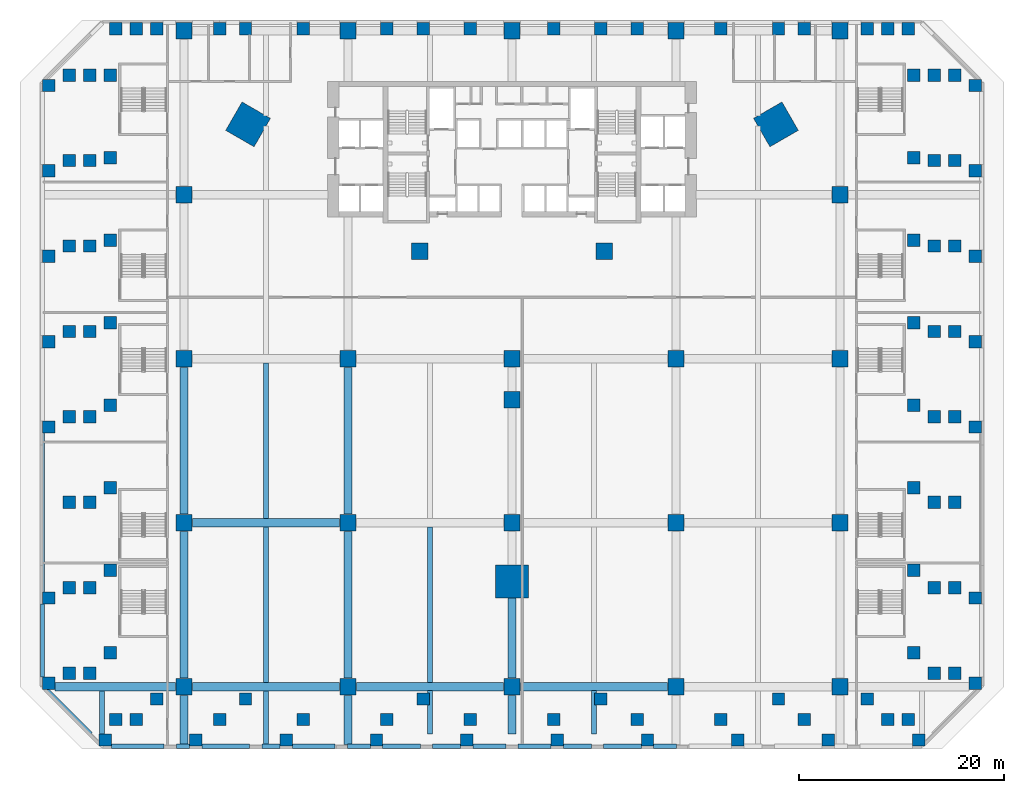
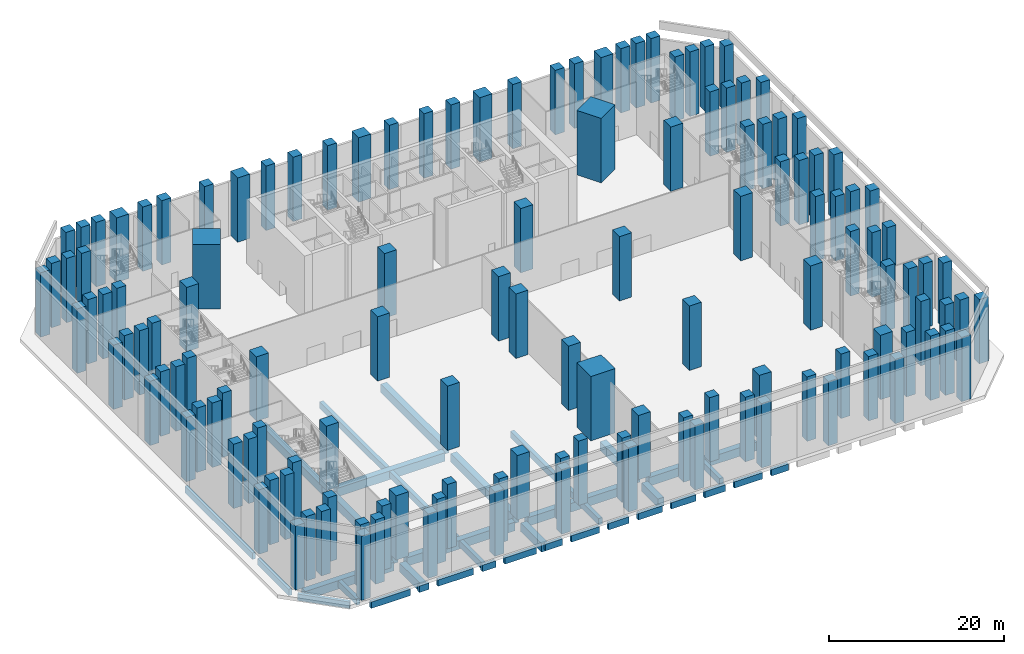
# One storey, part 1 of 25: 136 columns, 36 beams.
"""IFC4 building model written with IfcOpenShell, lengths in metres."""

from ifc_helpers import new_model, si_unit, direction, frame, origin, origin_2d, place, context, subcontext, project, spatial, rectangle, extrude, material, material_profile, profile_set, type_object, element, save


model = new_model("IFC4")

# Units and contexts
model_context = context("Model", 3, precision=1e-05, world=origin(), true_north=direction((0.0, 1.0)))
body_context = subcontext(model_context, "Body", "Model", "MODEL_VIEW")
ifc_project = project(units=[si_unit("LENGTHUNIT", "METRE"), si_unit("AREAUNIT", "SQUARE_METRE"), si_unit("VOLUMEUNIT", "CUBIC_METRE"), si_unit("PLANEANGLEUNIT", "RADIAN"), si_unit("MASSUNIT", "GRAM", prefix="KILO")], contexts=[model_context])

# Site, building, storey
site_placement = place(None, origin())
site = spatial("IfcSite", under=ifc_project, at=site_placement, CompositionType="ELEMENT")
building_placement = place(site_placement, origin())
building = spatial("IfcBuilding", under=site, at=building_placement, Name="Calabash Gate Tower", CompositionType="ELEMENT")
storey_placement = place(building_placement, frame((0.0, 0.0, 20.0)))
storey = spatial("IfcBuildingStorey", under=building, at=storey_placement, Name="L02", CompositionType="ELEMENT", Elevation=20.0)

# Columns
ifc_material_1 = material(Name="Concrete C80/95", Category="concrete")
ifc_material_profile_1 = material_profile(ifc_material_1, rectangle(XDim=1.60009765625, YDim=1.60009765625, at=origin_2d()))
ifc_profile_set_1 = profile_set([ifc_material_profile_1], Name="Concrete C80/95")
column_type_1 = type_object("IfcColumnType", Name="Interior column RC 1600x1600 Concrete C80/95", PredefinedType="COLUMN", material=ifc_profile_set_1)
for number, where, z_axis, x_axis, name in (
    (1, (-9.0, 2.5, 0.0), (0.0, 0.0, 1.0), (1.0, 0.0, 0.0), "Interior column L02 I0"),
    (2, (9.0, 2.5, 0.0), (0.0, 0.0, 1.0), (1.0, 0.0, 0.0), "Interior column L02 I1"),
    (3, (0.0, -12.0, 0.0), (0.0, 0.0, 1.0), (1.0, 0.0, 0.0), "Interior column L02 I2"),
):
    element("IfcColumn", number, at=place(storey_placement, frame(where, z_axis=z_axis, x_axis=x_axis)), inside=storey, type_object=column_type_1, Name=name, PredefinedType="COLUMN", context=body_context, shape_type="SweptSolid", body=[
        extrude(rectangle(XDim=1.60009765625, YDim=1.60009765625, at=origin_2d()), origin(), (0.0, 0.0, 1.0), 9.0),
    ])
ifc_material_2 = material(Name="Concrete C80/95", Category="concrete")
ifc_material_profile_2 = material_profile(ifc_material_2, rectangle(XDim=3.199951171875, YDim=3.199951171875, at=origin_2d()))
ifc_profile_set_2 = profile_set([ifc_material_profile_2], Name="Concrete C80/95")
column_type_2 = type_object("IfcColumnType", Name="Mega column RC 3200x3200 Concrete C80/95", PredefinedType="COLUMN", material=ifc_profile_set_2)
for number, where, z_axis, x_axis, name in (
    (4, (-25.75, 14.866943359375, 0.0), (0.0, 0.0, 1.0), (0.866025386331, -0.50000003023, 0.0), "Mega column L02 NW"),
    (5, (25.75, 14.866943359375, 0.0), (0.0, 0.0, 1.0), (-0.866025386331, -0.50000003023, 0.0), "Mega column L02 NE"),
    (6, (0.0, -29.73291015625, 0.0), (0.0, 0.0, 1.0), (0.0, 1.0, 0.0), "Mega column L02 S"),
):
    element("IfcColumn", number, at=place(storey_placement, frame(where, z_axis=z_axis, x_axis=x_axis)), inside=storey, type_object=column_type_2, Name=name, PredefinedType="COLUMN", context=body_context, shape_type="SweptSolid", body=[
        extrude(rectangle(XDim=3.199951171875, YDim=3.199951171875, at=origin_2d()), origin(), (0.0, 0.0, 1.0), 9.0),
    ])
ifc_material_3 = material(Name="Concrete C80/95", Category="concrete")
ifc_material_profile_3 = material_profile(ifc_material_3, rectangle(XDim=1.60009765625, YDim=1.60009765625, at=origin_2d()))
ifc_profile_set_3 = profile_set([ifc_material_profile_3], Name="Concrete C80/95")
column_type_3 = type_object("IfcColumnType", Name="Podium column RC 1600x1600 Concrete C80/95", PredefinedType="COLUMN", material=ifc_profile_set_3)
for number, where, z_axis, x_axis, name in (
    (7, (-32.0, -40.0, 0.0), (0.0, 0.0, 1.0), (1.0, 0.0, 0.0), "Podium column L02 G2A"),
    (8, (-32.0, -24.0, 0.0), (0.0, 0.0, 1.0), (1.0, 0.0, 0.0), "Podium column L02 G2B"),
    (9, (-32.0, -8.0, 0.0), (0.0, 0.0, 1.0), (1.0, 0.0, 0.0), "Podium column L02 G2C"),
    (10, (-32.0, 8.0, 0.0), (0.0, 0.0, 1.0), (1.0, 0.0, 0.0), "Podium column L02 G2D"),
    (11, (-32.0, 24.0, 0.0), (0.0, 0.0, 1.0), (1.0, 0.0, 0.0), "Podium column L02 G2E"),
    (12, (-16.0, -40.0, 0.0), (0.0, 0.0, 1.0), (1.0, 0.0, 0.0), "Podium column L02 G3A"),
    (13, (-16.0, -24.0, 0.0), (0.0, 0.0, 1.0), (1.0, 0.0, 0.0), "Podium column L02 G3B"),
    (14, (-16.0, -8.0, 0.0), (0.0, 0.0, 1.0), (1.0, 0.0, 0.0), "Podium column L02 G3C"),
    (15, (-16.0, 24.0, 0.0), (0.0, 0.0, 1.0), (1.0, 0.0, 0.0), "Podium column L02 G3E"),
    (16, (0.0, -40.0, 0.0), (0.0, 0.0, 1.0), (1.0, 0.0, 0.0), "Podium column L02 G4A"),
    (17, (0.0, -24.0, 0.0), (0.0, 0.0, 1.0), (1.0, 0.0, 0.0), "Podium column L02 G4B"),
    (18, (0.0, -8.0, 0.0), (0.0, 0.0, 1.0), (1.0, 0.0, 0.0), "Podium column L02 G4C"),
    (19, (0.0, 24.0, 0.0), (0.0, 0.0, 1.0), (1.0, 0.0, 0.0), "Podium column L02 G4E"),
    (20, (16.0, -40.0, 0.0), (0.0, 0.0, 1.0), (1.0, 0.0, 0.0), "Podium column L02 G5A"),
    (21, (16.0, -24.0, 0.0), (0.0, 0.0, 1.0), (1.0, 0.0, 0.0), "Podium column L02 G5B"),
    (22, (16.0, -8.0, 0.0), (0.0, 0.0, 1.0), (1.0, 0.0, 0.0), "Podium column L02 G5C"),
    (23, (16.0, 24.0, 0.0), (0.0, 0.0, 1.0), (1.0, 0.0, 0.0), "Podium column L02 G5E"),
    (24, (32.0, -40.0, 0.0), (0.0, 0.0, 1.0), (1.0, 0.0, 0.0), "Podium column L02 G6A"),
    (25, (32.0, -24.0, 0.0), (0.0, 0.0, 1.0), (1.0, 0.0, 0.0), "Podium column L02 G6B"),
    (26, (32.0, -8.0, 0.0), (0.0, 0.0, 1.0), (1.0, 0.0, 0.0), "Podium column L02 G6C"),
    (27, (32.0, 8.0, 0.0), (0.0, 0.0, 1.0), (1.0, 0.0, 0.0), "Podium column L02 G6D"),
    (28, (32.0, 24.0, 0.0), (0.0, 0.0, 1.0), (1.0, 0.0, 0.0), "Podium column L02 G6E"),
):
    element("IfcColumn", number, at=place(storey_placement, frame(where, z_axis=z_axis, x_axis=x_axis)), inside=storey, type_object=column_type_3, Name=name, PredefinedType="COLUMN", context=body_context, shape_type="SweptSolid", body=[
        extrude(rectangle(XDim=1.60009765625, YDim=1.60009765625, at=origin_2d()), origin(), (0.0, 0.0, 1.0), 9.0),
    ])
ifc_material_4 = material(Name="Concrete C80/95", Category="concrete")
ifc_material_profile_4 = material_profile(ifc_material_4, rectangle(XDim=1.199951171875, YDim=1.199951171875, at=origin_2d()))
ifc_profile_set_4 = profile_set([ifc_material_profile_4], Name="Concrete C80/95")
column_type_4 = type_object("IfcColumnType", Name="Podium edge column RC 1200x1200 Concrete C80/95", PredefinedType="COLUMN", material=ifc_profile_set_4)
for number, where, z_axis, x_axis, name in (
    (29, (-34.6689453125, -41.199951171875, 0.0), (0.0, 0.0, 1.0), (1.0, 0.0, 0.0), "Podium edge column L02 E01"),
    (30, (-39.199951171875, -36.6689453125, 0.0), (0.0, 0.0, 1.0), (1.0, 0.0, 0.0), "Podium edge column L02 E02"),
    (31, (-39.199951171875, 19.6689453125, 0.0), (0.0, 0.0, 1.0), (1.0, 0.0, 0.0), "Podium edge column L02 E03"),
    (32, (-34.6689453125, 24.199951171875, 0.0), (0.0, 0.0, 1.0), (1.0, 0.0, 0.0), "Podium edge column L02 E04"),
    (33, (34.6689453125, 24.199951171875, 0.0), (0.0, 0.0, 1.0), (1.0, 0.0, 0.0), "Podium edge column L02 E05"),
    (34, (39.199951171875, 19.6689453125, 0.0), (0.0, 0.0, 1.0), (1.0, 0.0, 0.0), "Podium edge column L02 E06"),
    (35, (39.199951171875, -36.6689453125, 0.0), (0.0, 0.0, 1.0), (1.0, 0.0, 0.0), "Podium edge column L02 E07"),
    (36, (34.6689453125, -41.199951171875, 0.0), (0.0, 0.0, 1.0), (1.0, 0.0, 0.0), "Podium edge column L02 E08"),
    (37, (-39.199951171875, -28.6201171875, 0.0), (0.0, 0.0, 1.0), (1.0, 0.0, 0.0), "Podium edge column L02 E09"),
    (38, (-39.199951171875, -20.572021484375, 0.0), (0.0, 0.0, 1.0), (1.0, 0.0, 0.0), "Podium edge column L02 E10"),
    (39, (-39.199951171875, -12.52392578125, 0.0), (0.0, 0.0, 1.0), (1.0, 0.0, 0.0), "Podium edge column L02 E11"),
    (40, (-39.199951171875, -4.47607421875, 0.0), (0.0, 0.0, 1.0), (1.0, 0.0, 0.0), "Podium edge column L02 E12"),
    (41, (-39.199951171875, 3.572021484375, 0.0), (0.0, 0.0, 1.0), (1.0, 0.0, 0.0), "Podium edge column L02 E13"),
    (42, (-39.199951171875, 11.6201171875, 0.0), (0.0, 0.0, 1.0), (1.0, 0.0, 0.0), "Podium edge column L02 E14"),
    (43, (-26.001953125, 24.199951171875, 0.0), (0.0, 0.0, 1.0), (1.0, 0.0, 0.0), "Podium edge column L02 E15"),
    (44, (-8.6669921875, 24.199951171875, 0.0), (0.0, 0.0, 1.0), (1.0, 0.0, 0.0), "Podium edge column L02 E16"),
    (45, (8.6669921875, 24.199951171875, 0.0), (0.0, 0.0, 1.0), (1.0, 0.0, 0.0), "Podium edge column L02 E17"),
    (46, (26.001953125, 24.199951171875, 0.0), (0.0, 0.0, 1.0), (1.0, 0.0, 0.0), "Podium edge column L02 E18"),
    (47, (39.199951171875, 11.6201171875, 0.0), (0.0, 0.0, 1.0), (1.0, 0.0, 0.0), "Podium edge column L02 E19"),
    (48, (39.199951171875, 3.572021484375, 0.0), (0.0, 0.0, 1.0), (1.0, 0.0, 0.0), "Podium edge column L02 E20"),
    (49, (39.199951171875, -4.47607421875, 0.0), (0.0, 0.0, 1.0), (1.0, 0.0, 0.0), "Podium edge column L02 E21"),
    (50, (39.199951171875, -12.52392578125, 0.0), (0.0, 0.0, 1.0), (1.0, 0.0, 0.0), "Podium edge column L02 E22"),
    (51, (39.199951171875, -20.572021484375, 0.0), (0.0, 0.0, 1.0), (1.0, 0.0, 0.0), "Podium edge column L02 E23"),
    (52, (39.199951171875, -28.6201171875, 0.0), (0.0, 0.0, 1.0), (1.0, 0.0, 0.0), "Podium edge column L02 E24"),
    (53, (26.001953125, -41.199951171875, 0.0), (0.0, 0.0, 1.0), (1.0, 0.0, 0.0), "Podium edge column L02 E25"),
    (54, (8.6669921875, -41.199951171875, 0.0), (0.0, 0.0, 1.0), (1.0, 0.0, 0.0), "Podium edge column L02 E26"),
    (55, (-8.6669921875, -41.199951171875, 0.0), (0.0, 0.0, 1.0), (1.0, 0.0, 0.0), "Podium edge column L02 E27"),
    (56, (-26.001953125, -41.199951171875, 0.0), (0.0, 0.0, 1.0), (1.0, 0.0, 0.0), "Podium edge column L02 E28"),
    (57, (-36.6689453125, -43.199951171875, 0.0), (0.0, 0.0, 1.0), (1.0, 0.0, 0.0), "Podium edge column L02 E29"),
    (58, (-41.199951171875, -38.6689453125, 0.0), (0.0, 0.0, 1.0), (1.0, 0.0, 0.0), "Podium edge column L02 E30"),
    (59, (-41.199951171875, 19.6689453125, 0.0), (0.0, 0.0, 1.0), (1.0, 0.0, 0.0), "Podium edge column L02 E31"),
    (60, (-36.6689453125, 24.199951171875, 0.0), (0.0, 0.0, 1.0), (1.0, 0.0, 0.0), "Podium edge column L02 E32"),
    (61, (36.6689453125, 24.199951171875, 0.0), (0.0, 0.0, 1.0), (1.0, 0.0, 0.0), "Podium edge column L02 E33"),
    (62, (41.199951171875, 19.6689453125, 0.0), (0.0, 0.0, 1.0), (1.0, 0.0, 0.0), "Podium edge column L02 E34"),
    (63, (41.199951171875, -38.6689453125, 0.0), (0.0, 0.0, 1.0), (1.0, 0.0, 0.0), "Podium edge column L02 E35"),
    (64, (36.6689453125, -43.199951171875, 0.0), (0.0, 0.0, 1.0), (1.0, 0.0, 0.0), "Podium edge column L02 E36"),
    (65, (-41.199951171875, -30.3330078125, 0.0), (0.0, 0.0, 1.0), (1.0, 0.0, 0.0), "Podium edge column L02 E37"),
    (66, (-41.199951171875, -22.0009765625, 0.0), (0.0, 0.0, 1.0), (1.0, 0.0, 0.0), "Podium edge column L02 E38"),
    (67, (-41.199951171875, -13.6669921875, 0.0), (0.0, 0.0, 1.0), (1.0, 0.0, 0.0), "Podium edge column L02 E39"),
    (68, (-41.199951171875, -5.3330078125, 0.0), (0.0, 0.0, 1.0), (1.0, 0.0, 0.0), "Podium edge column L02 E40"),
    (69, (-41.199951171875, 3.0009765625, 0.0), (0.0, 0.0, 1.0), (1.0, 0.0, 0.0), "Podium edge column L02 E41"),
    (70, (-41.199951171875, 11.3369140625, 0.0), (0.0, 0.0, 1.0), (1.0, 0.0, 0.0), "Podium edge column L02 E42"),
    (71, (-28.52001953125, 24.199951171875, 0.0), (0.0, 0.0, 1.0), (1.0, 0.0, 0.0), "Podium edge column L02 E43"),
    (72, (-20.3720703125, 24.199951171875, 0.0), (0.0, 0.0, 1.0), (1.0, 0.0, 0.0), "Podium edge column L02 E44"),
    (73, (-12.222900390625, 24.199951171875, 0.0), (0.0, 0.0, 1.0), (1.0, 0.0, 0.0), "Podium edge column L02 E45"),
    (74, (-4.073974609375, 24.199951171875, 0.0), (0.0, 0.0, 1.0), (1.0, 0.0, 0.0), "Podium edge column L02 E46"),
    (75, (4.073974609375, 24.199951171875, 0.0), (0.0, 0.0, 1.0), (1.0, 0.0, 0.0), "Podium edge column L02 E47"),
    (76, (12.222900390625, 24.199951171875, 0.0), (0.0, 0.0, 1.0), (1.0, 0.0, 0.0), "Podium edge column L02 E48"),
    (77, (20.3720703125, 24.199951171875, 0.0), (0.0, 0.0, 1.0), (1.0, 0.0, 0.0), "Podium edge column L02 E49"),
    (78, (28.52001953125, 24.199951171875, 0.0), (0.0, 0.0, 1.0), (1.0, 0.0, 0.0), "Podium edge column L02 E50"),
    (79, (41.199951171875, 11.3369140625, 0.0), (0.0, 0.0, 1.0), (1.0, 0.0, 0.0), "Podium edge column L02 E51"),
    (80, (41.199951171875, 3.0009765625, 0.0), (0.0, 0.0, 1.0), (1.0, 0.0, 0.0), "Podium edge column L02 E52"),
    (81, (41.199951171875, -5.3330078125, 0.0), (0.0, 0.0, 1.0), (1.0, 0.0, 0.0), "Podium edge column L02 E53"),
    (82, (41.199951171875, -13.6669921875, 0.0), (0.0, 0.0, 1.0), (1.0, 0.0, 0.0), "Podium edge column L02 E54"),
    (83, (41.199951171875, -22.0009765625, 0.0), (0.0, 0.0, 1.0), (1.0, 0.0, 0.0), "Podium edge column L02 E55"),
    (84, (41.199951171875, -30.3330078125, 0.0), (0.0, 0.0, 1.0), (1.0, 0.0, 0.0), "Podium edge column L02 E56"),
    (85, (28.52001953125, -43.199951171875, 0.0), (0.0, 0.0, 1.0), (1.0, 0.0, 0.0), "Podium edge column L02 E57"),
    (86, (20.3720703125, -43.199951171875, 0.0), (0.0, 0.0, 1.0), (1.0, 0.0, 0.0), "Podium edge column L02 E58"),
    (87, (12.222900390625, -43.199951171875, 0.0), (0.0, 0.0, 1.0), (1.0, 0.0, 0.0), "Podium edge column L02 E59"),
    (88, (4.073974609375, -43.199951171875, 0.0), (0.0, 0.0, 1.0), (1.0, 0.0, 0.0), "Podium edge column L02 E60"),
    (89, (-4.073974609375, -43.199951171875, 0.0), (0.0, 0.0, 1.0), (1.0, 0.0, 0.0), "Podium edge column L02 E61"),
    (90, (-12.222900390625, -43.199951171875, 0.0), (0.0, 0.0, 1.0), (1.0, 0.0, 0.0), "Podium edge column L02 E62"),
    (91, (-20.3720703125, -43.199951171875, 0.0), (0.0, 0.0, 1.0), (1.0, 0.0, 0.0), "Podium edge column L02 E63"),
    (92, (-28.52001953125, -43.199951171875, 0.0), (0.0, 0.0, 1.0), (1.0, 0.0, 0.0), "Podium edge column L02 E64"),
    (93, (-38.6689453125, -43.199951171875, 0.0), (0.0, 0.0, 1.0), (1.0, 0.0, 0.0), "Podium edge column L02 E65"),
    (94, (-43.199951171875, -38.6689453125, 0.0), (0.0, 0.0, 1.0), (1.0, 0.0, 0.0), "Podium edge column L02 E66"),
    (95, (-43.199951171875, 19.6689453125, 0.0), (0.0, 0.0, 1.0), (1.0, 0.0, 0.0), "Podium edge column L02 E67"),
    (96, (-38.6689453125, 24.199951171875, 0.0), (0.0, 0.0, 1.0), (1.0, 0.0, 0.0), "Podium edge column L02 E68"),
    (97, (38.6689453125, 24.199951171875, 0.0), (0.0, 0.0, 1.0), (1.0, 0.0, 0.0), "Podium edge column L02 E69"),
    (98, (43.199951171875, 19.6689453125, 0.0), (0.0, 0.0, 1.0), (1.0, 0.0, 0.0), "Podium edge column L02 E70"),
    (99, (43.199951171875, -38.6689453125, 0.0), (0.0, 0.0, 1.0), (1.0, 0.0, 0.0), "Podium edge column L02 E71"),
    (100, (38.6689453125, -43.199951171875, 0.0), (0.0, 0.0, 1.0), (1.0, 0.0, 0.0), "Podium edge column L02 E72"),
    (101, (-43.199951171875, -30.3330078125, 0.0), (0.0, 0.0, 1.0), (1.0, 0.0, 0.0), "Podium edge column L02 E73"),
    (102, (-43.199951171875, -22.0009765625, 0.0), (0.0, 0.0, 1.0), (1.0, 0.0, 0.0), "Podium edge column L02 E74"),
    (103, (-43.199951171875, -13.6669921875, 0.0), (0.0, 0.0, 1.0), (1.0, 0.0, 0.0), "Podium edge column L02 E75"),
    (104, (-43.199951171875, -5.3330078125, 0.0), (0.0, 0.0, 1.0), (1.0, 0.0, 0.0), "Podium edge column L02 E76"),
    (105, (-43.199951171875, 3.0009765625, 0.0), (0.0, 0.0, 1.0), (1.0, 0.0, 0.0), "Podium edge column L02 E77"),
    (106, (-43.199951171875, 11.3369140625, 0.0), (0.0, 0.0, 1.0), (1.0, 0.0, 0.0), "Podium edge column L02 E78"),
    (107, (43.199951171875, 11.3369140625, 0.0), (0.0, 0.0, 1.0), (1.0, 0.0, 0.0), "Podium edge column L02 E79"),
    (108, (43.199951171875, 3.0009765625, 0.0), (0.0, 0.0, 1.0), (1.0, 0.0, 0.0), "Podium edge column L02 E80"),
    (109, (43.199951171875, -5.3330078125, 0.0), (0.0, 0.0, 1.0), (1.0, 0.0, 0.0), "Podium edge column L02 E81"),
    (110, (43.199951171875, -13.6669921875, 0.0), (0.0, 0.0, 1.0), (1.0, 0.0, 0.0), "Podium edge column L02 E82"),
    (111, (43.199951171875, -22.0009765625, 0.0), (0.0, 0.0, 1.0), (1.0, 0.0, 0.0), "Podium edge column L02 E83"),
    (112, (43.199951171875, -30.3330078125, 0.0), (0.0, 0.0, 1.0), (1.0, 0.0, 0.0), "Podium edge column L02 E84"),
    (113, (-39.6689453125, -45.199951171875, 0.0), (0.0, 0.0, 1.0), (1.0, 0.0, 0.0), "Podium edge column L02 E85"),
    (114, (-45.199951171875, -39.6689453125, 0.0), (0.0, 0.0, 1.0), (1.0, 0.0, 0.0), "Podium edge column L02 E86"),
    (115, (-45.199951171875, 18.6689453125, 0.0), (0.0, 0.0, 1.0), (1.0, 0.0, 0.0), "Podium edge column L02 E87"),
    (116, (45.199951171875, 18.6689453125, 0.0), (0.0, 0.0, 1.0), (1.0, 0.0, 0.0), "Podium edge column L02 E88"),
    (117, (45.199951171875, -39.6689453125, 0.0), (0.0, 0.0, 1.0), (1.0, 0.0, 0.0), "Podium edge column L02 E89"),
    (118, (39.6689453125, -45.199951171875, 0.0), (0.0, 0.0, 1.0), (1.0, 0.0, 0.0), "Podium edge column L02 E90"),
    (119, (-45.199951171875, -31.3330078125, 0.0), (0.0, 0.0, 1.0), (1.0, 0.0, 0.0), "Podium edge column L02 E91"),
    (120, (-45.199951171875, -14.6669921875, 0.0), (0.0, 0.0, 1.0), (1.0, 0.0, 0.0), "Podium edge column L02 E92"),
    (121, (-45.199951171875, -6.3330078125, 0.0), (0.0, 0.0, 1.0), (1.0, 0.0, 0.0), "Podium edge column L02 E93"),
    (122, (-45.199951171875, 2.0009765625, 0.0), (0.0, 0.0, 1.0), (1.0, 0.0, 0.0), "Podium edge column L02 E94"),
    (123, (-45.199951171875, 10.3369140625, 0.0), (0.0, 0.0, 1.0), (1.0, 0.0, 0.0), "Podium edge column L02 E95"),
    (124, (45.199951171875, 10.3369140625, 0.0), (0.0, 0.0, 1.0), (1.0, 0.0, 0.0), "Podium edge column L02 E96"),
    (125, (45.199951171875, 2.0009765625, 0.0), (0.0, 0.0, 1.0), (1.0, 0.0, 0.0), "Podium edge column L02 E97"),
    (126, (45.199951171875, -6.3330078125, 0.0), (0.0, 0.0, 1.0), (1.0, 0.0, 0.0), "Podium edge column L02 E98"),
    (127, (45.199951171875, -14.6669921875, 0.0), (0.0, 0.0, 1.0), (1.0, 0.0, 0.0), "Podium edge column L02 E99"),
    (128, (45.199951171875, -31.3330078125, 0.0), (0.0, 0.0, 1.0), (1.0, 0.0, 0.0), "Podium edge column L02 E100"),
    (129, (30.85302734375, -45.199951171875, 0.0), (0.0, 0.0, 1.0), (1.0, 0.0, 0.0), "Podium edge column L02 E101"),
    (130, (22.0380859375, -45.199951171875, 0.0), (0.0, 0.0, 1.0), (1.0, 0.0, 0.0), "Podium edge column L02 E102"),
    (131, (13.222900390625, -45.199951171875, 0.0), (0.0, 0.0, 1.0), (1.0, 0.0, 0.0), "Podium edge column L02 E103"),
    (132, (4.407958984375, -45.199951171875, 0.0), (0.0, 0.0, 1.0), (1.0, 0.0, 0.0), "Podium edge column L02 E104"),
    (133, (-4.407958984375, -45.199951171875, 0.0), (0.0, 0.0, 1.0), (1.0, 0.0, 0.0), "Podium edge column L02 E105"),
    (134, (-13.222900390625, -45.199951171875, 0.0), (0.0, 0.0, 1.0), (1.0, 0.0, 0.0), "Podium edge column L02 E106"),
    (135, (-22.0380859375, -45.199951171875, 0.0), (0.0, 0.0, 1.0), (1.0, 0.0, 0.0), "Podium edge column L02 E107"),
    (136, (-30.85302734375, -45.199951171875, 0.0), (0.0, 0.0, 1.0), (1.0, 0.0, 0.0), "Podium edge column L02 E108"),
):
    element("IfcColumn", number, at=place(storey_placement, frame(where, z_axis=z_axis, x_axis=x_axis)), inside=storey, type_object=column_type_4, Name=name, PredefinedType="COLUMN", context=body_context, shape_type="SweptSolid", body=[
        extrude(rectangle(XDim=1.199951171875, YDim=1.199951171875, at=origin_2d()), origin(), (0.0, 0.0, 1.0), 9.0),
    ])

# Beams
ifc_material_5 = material(Name="Concrete C50/60", Category="concrete")
ifc_material_profile_5 = material_profile(ifc_material_5, rectangle(XDim=0.39990234375, YDim=0.89990234375, at=origin_2d()))
ifc_profile_set_5 = profile_set([ifc_material_profile_5], Name="Concrete C50/60")
beam_type_1 = type_object("IfcBeamType", Name="Edge beam RC 400x900 Concrete C50/60", PredefinedType="BEAM", material=ifc_profile_set_5)
beam_1_placement = place(storey_placement, frame((-41.093017578125, -44.623046875, -0.949951171875), z_axis=(-0.70718565094, 0.707027902635, 0.0), x_axis=(-0.707027902635, -0.70718565094, 0.0)))
element("IfcBeam", 137, at=beam_1_placement, inside=storey, type_object=beam_type_1, Name="Edge beam L02 1", PredefinedType="BEAM", context=body_context, shape_type="SweptSolid", body=[
    extrude(rectangle(XDim=0.39990234375, YDim=0.89990234375, at=origin_2d()), origin(), (0.0, 0.0, 1.0), 6.190673828125),
])
beam_2_placement = place(storey_placement, frame((-45.800048828125, -39.069091796875, -0.949951171875), z_axis=(0.0, 1.0, 0.0), x_axis=(-1.0, 0.0, 0.0)))
element("IfcBeam", 138, at=beam_2_placement, inside=storey, type_object=beam_type_1, Name="Edge beam L02 2", PredefinedType="BEAM", context=body_context, shape_type="SweptSolid", body=[
    extrude(rectangle(XDim=0.39990234375, YDim=0.89990234375, at=origin_2d()), origin(), (0.0, 0.0, 1.0), 7.135986328125),
])
beam_3_placement = place(storey_placement, frame((-45.800048828125, -30.73291015625, -0.949951171875), z_axis=(0.0, 1.0, 0.0), x_axis=(-1.0, 0.0, 0.0)))
element("IfcBeam", 139, at=beam_3_placement, inside=storey, type_object=beam_type_1, Name="Edge beam L02 3", PredefinedType="BEAM", context=body_context, shape_type="SweptSolid", body=[
    extrude(rectangle(XDim=0.39990234375, YDim=0.89990234375, at=origin_2d()), origin(), (0.0, 0.0, 1.0), 15.4658203125),
])
beam_4_placement = place(storey_placement, frame((16.06689453125, -45.800048828125, -0.949951171875), z_axis=(-1.0, 0.0, 0.0), x_axis=(0.0, -1.0, 0.0)))
element("IfcBeam", 140, at=beam_4_placement, inside=storey, type_object=beam_type_1, Name="Edge beam L02 42", PredefinedType="BEAM", context=body_context, shape_type="SweptSolid", body=[
    extrude(rectangle(XDim=0.39990234375, YDim=0.89990234375, at=origin_2d()), origin(), (0.0, 0.0, 1.0), 2.243896484375),
])
beam_5_placement = place(storey_placement, frame((12.623046875, -45.800048828125, -0.949951171875), z_axis=(-1.0, 0.0, 0.0), x_axis=(0.0, -1.0, 0.0)))
element("IfcBeam", 141, at=beam_5_placement, inside=storey, type_object=beam_type_1, Name="Edge beam L02 43", PredefinedType="BEAM", context=body_context, shape_type="SweptSolid", body=[
    extrude(rectangle(XDim=0.39990234375, YDim=0.89990234375, at=origin_2d()), origin(), (0.0, 0.0, 1.0), 3.68896484375),
])
beam_6_placement = place(storey_placement, frame((7.73388671875, -45.800048828125, -0.949951171875), z_axis=(-1.0, 0.0, 0.0), x_axis=(0.0, -1.0, 0.0)))
element("IfcBeam", 142, at=beam_6_placement, inside=storey, type_object=beam_type_1, Name="Edge beam L02 44", PredefinedType="BEAM", context=body_context, shape_type="SweptSolid", body=[
    extrude(rectangle(XDim=0.39990234375, YDim=0.89990234375, at=origin_2d()), origin(), (0.0, 0.0, 1.0), 2.725830078125),
])
for number, where, z_axis, x_axis, name in (
    (143, (3.80810546875, -45.800048828125, -0.949951171875), (-1.0, 0.0, 0.0), (0.0, -1.0, 0.0), "Edge beam L02 45"),
    (144, (-0.60009765625, -45.800048828125, -0.949951171875), (-1.0, 0.0, 0.0), (0.0, -1.0, 0.0), "Edge beam L02 46"),
):
    element("IfcBeam", number, at=place(storey_placement, frame(where, z_axis=z_axis, x_axis=x_axis)), inside=storey, type_object=beam_type_1, Name=name, PredefinedType="BEAM", context=body_context, shape_type="SweptSolid", body=[
        extrude(rectangle(XDim=0.39990234375, YDim=0.89990234375, at=origin_2d()), origin(), (0.0, 0.0, 1.0), 3.2080078125),
    ])
beam_7_placement = place(storey_placement, frame((-5.008056640625, -45.800048828125, -0.949951171875), z_axis=(-1.0, 0.0, 0.0), x_axis=(0.0, -1.0, 0.0)))
element("IfcBeam", 145, at=beam_7_placement, inside=storey, type_object=beam_type_1, Name="Edge beam L02 47", PredefinedType="BEAM", context=body_context, shape_type="SweptSolid", body=[
    extrude(rectangle(XDim=0.39990234375, YDim=0.89990234375, at=origin_2d()), origin(), (0.0, 0.0, 1.0), 2.725830078125),
])
beam_8_placement = place(storey_placement, frame((-8.93408203125, -45.800048828125, -0.949951171875), z_axis=(-1.0, 0.0, 0.0), x_axis=(0.0, -1.0, 0.0)))
element("IfcBeam", 146, at=beam_8_placement, inside=storey, type_object=beam_type_1, Name="Edge beam L02 48", PredefinedType="BEAM", context=body_context, shape_type="SweptSolid", body=[
    extrude(rectangle(XDim=0.39990234375, YDim=0.89990234375, at=origin_2d()), origin(), (0.0, 0.0, 1.0), 3.68896484375),
])
beam_9_placement = place(storey_placement, frame((-13.822998046875, -45.800048828125, -0.949951171875), z_axis=(-1.0, 0.0, 0.0), x_axis=(0.0, -1.0, 0.0)))
element("IfcBeam", 147, at=beam_9_placement, inside=storey, type_object=beam_type_1, Name="Edge beam L02 49", PredefinedType="BEAM", context=body_context, shape_type="SweptSolid", body=[
    extrude(rectangle(XDim=0.39990234375, YDim=0.89990234375, at=origin_2d()), origin(), (0.0, 0.0, 1.0), 2.243896484375),
])
beam_10_placement = place(storey_placement, frame((-17.26806640625, -45.800048828125, -0.949951171875), z_axis=(-1.0, 0.0, 0.0), x_axis=(0.0, -1.0, 0.0)))
element("IfcBeam", 148, at=beam_10_placement, inside=storey, type_object=beam_type_1, Name="Edge beam L02 50", PredefinedType="BEAM", context=body_context, shape_type="SweptSolid", body=[
    extrude(rectangle(XDim=0.39990234375, YDim=0.89990234375, at=origin_2d()), origin(), (0.0, 0.0, 1.0), 4.169921875),
])
beam_11_placement = place(storey_placement, frame((-22.637939453125, -45.800048828125, -0.949951171875), z_axis=(-1.0, 0.0, 0.0), x_axis=(0.0, -1.0, 0.0)))
element("IfcBeam", 149, at=beam_11_placement, inside=storey, type_object=beam_type_1, Name="Edge beam L02 51", PredefinedType="BEAM", context=body_context, shape_type="SweptSolid", body=[
    extrude(rectangle(XDim=0.39990234375, YDim=0.89990234375, at=origin_2d()), origin(), (0.0, 0.0, 1.0), 1.762939453125),
])
beam_12_placement = place(storey_placement, frame((-25.60107421875, -45.800048828125, -0.949951171875), z_axis=(-1.0, 0.0, 0.0), x_axis=(0.0, -1.0, 0.0)))
element("IfcBeam", 150, at=beam_12_placement, inside=storey, type_object=beam_type_1, Name="Edge beam L02 52", PredefinedType="BEAM", context=body_context, shape_type="SweptSolid", body=[
    extrude(rectangle(XDim=0.39990234375, YDim=0.89990234375, at=origin_2d()), origin(), (0.0, 0.0, 1.0), 4.65185546875),
])
beam_13_placement = place(storey_placement, frame((-31.452880859375, -45.800048828125, -0.949951171875), z_axis=(-1.0, 0.0, 0.0), x_axis=(0.0, -1.0, 0.0)))
element("IfcBeam", 151, at=beam_13_placement, inside=storey, type_object=beam_type_1, Name="Edge beam L02 53", PredefinedType="BEAM", context=body_context, shape_type="SweptSolid", body=[
    extrude(rectangle(XDim=0.39990234375, YDim=0.89990234375, at=origin_2d()), origin(), (0.0, 0.0, 1.0), 1.280029296875),
])
beam_14_placement = place(storey_placement, frame((-33.93310546875, -45.800048828125, -0.949951171875), z_axis=(-1.0, 0.0, 0.0), x_axis=(0.0, -1.0, 0.0)))
element("IfcBeam", 152, at=beam_14_placement, inside=storey, type_object=beam_type_1, Name="Edge beam L02 54", PredefinedType="BEAM", context=body_context, shape_type="SweptSolid", body=[
    extrude(rectangle(XDim=0.39990234375, YDim=0.89990234375, at=origin_2d()), origin(), (0.0, 0.0, 1.0), 5.135986328125),
])
ifc_material_6 = material(Name="Concrete C50/60", Category="concrete")
ifc_material_profile_6 = material_profile(ifc_material_6, rectangle(XDim=0.5, YDim=0.89990234375, at=origin_2d()))
ifc_profile_set_6 = profile_set([ifc_material_profile_6], Name="Concrete C50/60")
beam_type_2 = type_object("IfcBeamType", Name="Floor beam RC 500x900 Concrete C50/60", PredefinedType="BEAM", material=ifc_profile_set_6)
beam_15_placement = place(storey_placement, frame((-40.0, -44.60009765625, -0.949951171875), z_axis=(0.0, 1.0, 0.0), x_axis=(-1.0, 0.0, 0.0)))
element("IfcBeam", 153, at=beam_15_placement, inside=storey, type_object=beam_type_2, Name="Floor beam L02 1", PredefinedType="BEAM", context=body_context, shape_type="SweptSolid", body=[
    extrude(rectangle(XDim=0.5, YDim=0.89990234375, at=origin_2d()), origin(), (0.0, 0.0, 1.0), 4.2001953125),
])
beam_16_placement = place(storey_placement, frame((-24.0, -45.60009765625, -0.949951171875), z_axis=(0.0, 1.0, 0.0), x_axis=(-1.0, 0.0, 0.0)))
element("IfcBeam", 154, at=beam_16_placement, inside=storey, type_object=beam_type_2, Name="Floor beam L02 2", PredefinedType="BEAM", context=body_context, shape_type="SweptSolid", body=[
    extrude(rectangle(XDim=0.5, YDim=0.89990234375, at=origin_2d()), origin(), (0.0, 0.0, 1.0), 5.2001953125),
])
for number, where, z_axis, x_axis, name in (
    (155, (-24.0, -39.60009765625, -0.949951171875), (0.0, 1.0, 0.0), (-1.0, 0.0, 0.0), "Floor beam L02 3"),
    (156, (-24.0, -23.60009765625, -0.949951171875), (0.0, 1.0, 0.0), (-1.0, 0.0, 0.0), "Floor beam L02 4"),
):
    element("IfcBeam", number, at=place(storey_placement, frame(where, z_axis=z_axis, x_axis=x_axis)), inside=storey, type_object=beam_type_2, Name=name, PredefinedType="BEAM", context=body_context, shape_type="SweptSolid", body=[
        extrude(rectangle(XDim=0.5, YDim=0.89990234375, at=origin_2d()), origin(), (0.0, 0.0, 1.0), 15.2001953125),
    ])
beam_17_placement = place(storey_placement, frame((-8.0, -44.60009765625, -0.949951171875), z_axis=(0.0, 1.0, 0.0), x_axis=(-1.0, 0.0, 0.0)))
element("IfcBeam", 157, at=beam_17_placement, inside=storey, type_object=beam_type_2, Name="Floor beam L02 8", PredefinedType="BEAM", context=body_context, shape_type="SweptSolid", body=[
    extrude(rectangle(XDim=0.5, YDim=0.89990234375, at=origin_2d()), origin(), (0.0, 0.0, 1.0), 4.232177734375),
])
beam_18_placement = place(storey_placement, frame((-8.0, -39.60009765625, -0.949951171875), z_axis=(0.0, 1.0, 0.0), x_axis=(-1.0, 0.0, 0.0)))
element("IfcBeam", 158, at=beam_18_placement, inside=storey, type_object=beam_type_2, Name="Floor beam L02 9", PredefinedType="BEAM", context=body_context, shape_type="SweptSolid", body=[
    extrude(rectangle(XDim=0.5, YDim=0.89990234375, at=origin_2d()), origin(), (0.0, 0.0, 1.0), 15.2001953125),
])
beam_19_placement = place(storey_placement, frame((8.0, -44.60009765625, -0.949951171875), z_axis=(0.0, 1.0, 0.0), x_axis=(-1.0, 0.0, 0.0)))
element("IfcBeam", 159, at=beam_19_placement, inside=storey, type_object=beam_type_2, Name="Floor beam L02 12", PredefinedType="BEAM", context=body_context, shape_type="SweptSolid", body=[
    extrude(rectangle(XDim=0.5, YDim=0.89990234375, at=origin_2d()), origin(), (0.0, 0.0, 1.0), 4.232177734375),
])
ifc_material_7 = material(Name="Concrete C50/60", Category="concrete")
ifc_material_profile_7 = material_profile(ifc_material_7, rectangle(XDim=0.800048828125, YDim=1.199951171875, at=origin_2d()))
ifc_profile_set_7 = profile_set([ifc_material_profile_7], Name="Concrete C50/60")
beam_type_3 = type_object("IfcBeamType", Name="Grid girder RC 800x1200 Concrete C50/60", PredefinedType="BEAM", material=ifc_profile_set_7)
beam_20_placement = place(storey_placement, frame((-32.0, -45.60009765625, -1.10009765625), z_axis=(0.0, 1.0, 0.0), x_axis=(-1.0, 0.0, 0.0)))
element("IfcBeam", 160, at=beam_20_placement, inside=storey, type_object=beam_type_3, Name="Grid girder L02 1", PredefinedType="BEAM", context=body_context, shape_type="SweptSolid", body=[
    extrude(rectangle(XDim=0.800048828125, YDim=1.199951171875, at=origin_2d()), origin(), (0.0, 0.0, 1.0), 4.75),
])
for number, where, z_axis, x_axis, name in (
    (161, (-32.0, -39.14990234375, -1.10009765625), (0.0, 1.0, 0.0), (-1.0, 0.0, 0.0), "Grid girder L02 2"),
    (162, (-32.0, -23.14990234375, -1.10009765625), (0.0, 1.0, 0.0), (-1.0, 0.0, 0.0), "Grid girder L02 3"),
):
    element("IfcBeam", number, at=place(storey_placement, frame(where, z_axis=z_axis, x_axis=x_axis)), inside=storey, type_object=beam_type_3, Name=name, PredefinedType="BEAM", context=body_context, shape_type="SweptSolid", body=[
        extrude(rectangle(XDim=0.800048828125, YDim=1.199951171875, at=origin_2d()), origin(), (0.0, 0.0, 1.0), 14.2998046875),
    ])
beam_21_placement = place(storey_placement, frame((-16.0, -45.632080078125, -1.10009765625), z_axis=(0.0, 1.0, 0.0), x_axis=(-1.0, 0.0, 0.0)))
element("IfcBeam", 163, at=beam_21_placement, inside=storey, type_object=beam_type_3, Name="Grid girder L02 6", PredefinedType="BEAM", context=body_context, shape_type="SweptSolid", body=[
    extrude(rectangle(XDim=0.800048828125, YDim=1.199951171875, at=origin_2d()), origin(), (0.0, 0.0, 1.0), 4.781982421875),
])
for number, where, z_axis, x_axis, name in (
    (164, (-16.0, -39.14990234375, -1.10009765625), (0.0, 1.0, 0.0), (-1.0, 0.0, 0.0), "Grid girder L02 7"),
    (165, (-16.0, -23.14990234375, -1.10009765625), (0.0, 1.0, 0.0), (-1.0, 0.0, 0.0), "Grid girder L02 8"),
):
    element("IfcBeam", number, at=place(storey_placement, frame(where, z_axis=z_axis, x_axis=x_axis)), inside=storey, type_object=beam_type_3, Name=name, PredefinedType="BEAM", context=body_context, shape_type="SweptSolid", body=[
        extrude(rectangle(XDim=0.800048828125, YDim=1.199951171875, at=origin_2d()), origin(), (0.0, 0.0, 1.0), 14.2998046875),
    ])
beam_22_placement = place(storey_placement, frame((0.0, -44.60009765625, -1.10009765625), z_axis=(0.0, 1.0, 0.0), x_axis=(-1.0, 0.0, 0.0)))
element("IfcBeam", 166, at=beam_22_placement, inside=storey, type_object=beam_type_3, Name="Grid girder L02 11", PredefinedType="BEAM", context=body_context, shape_type="SweptSolid", body=[
    extrude(rectangle(XDim=0.800048828125, YDim=1.199951171875, at=origin_2d()), origin(), (0.0, 0.0, 1.0), 3.75),
])
beam_23_placement = place(storey_placement, frame((0.0, -39.14990234375, -1.10009765625), z_axis=(0.0, 1.0, 0.0), x_axis=(-1.0, 0.0, 0.0)))
element("IfcBeam", 167, at=beam_23_placement, inside=storey, type_object=beam_type_3, Name="Grid girder L02 12", PredefinedType="BEAM", context=body_context, shape_type="SweptSolid", body=[
    extrude(rectangle(XDim=0.800048828125, YDim=1.199951171875, at=origin_2d()), origin(), (0.0, 0.0, 1.0), 7.81689453125),
])
beam_24_placement = place(storey_placement, frame((-44.60009765625, -40.0, -1.10009765625), z_axis=(1.0, 0.0, 0.0), x_axis=(0.0, 1.0, 0.0)))
element("IfcBeam", 168, at=beam_24_placement, inside=storey, type_object=beam_type_3, Name="Grid girder L02 27", PredefinedType="BEAM", context=body_context, shape_type="SweptSolid", body=[
    extrude(rectangle(XDim=0.800048828125, YDim=1.199951171875, at=origin_2d()), origin(), (0.0, 0.0, 1.0), 11.75),
])
for number, where, z_axis, x_axis, name in (
    (169, (-31.14990234375, -40.0, -1.10009765625), (1.0, 0.0, 0.0), (0.0, 1.0, 0.0), "Grid girder L02 28"),
    (170, (-15.14990234375, -40.0, -1.10009765625), (1.0, 0.0, 0.0), (0.0, 1.0, 0.0), "Grid girder L02 29"),
    (171, (0.85009765625, -40.0, -1.10009765625), (1.0, 0.0, 0.0), (0.0, 1.0, 0.0), "Grid girder L02 30"),
    (172, (-31.14990234375, -24.0, -1.10009765625), (1.0, 0.0, 0.0), (0.0, 1.0, 0.0), "Grid girder L02 33"),
):
    element("IfcBeam", number, at=place(storey_placement, frame(where, z_axis=z_axis, x_axis=x_axis)), inside=storey, type_object=beam_type_3, Name=name, PredefinedType="BEAM", context=body_context, shape_type="SweptSolid", body=[
        extrude(rectangle(XDim=0.800048828125, YDim=1.199951171875, at=origin_2d()), origin(), (0.0, 0.0, 1.0), 14.2998046875),
    ])

save(model, "model.ifc")
